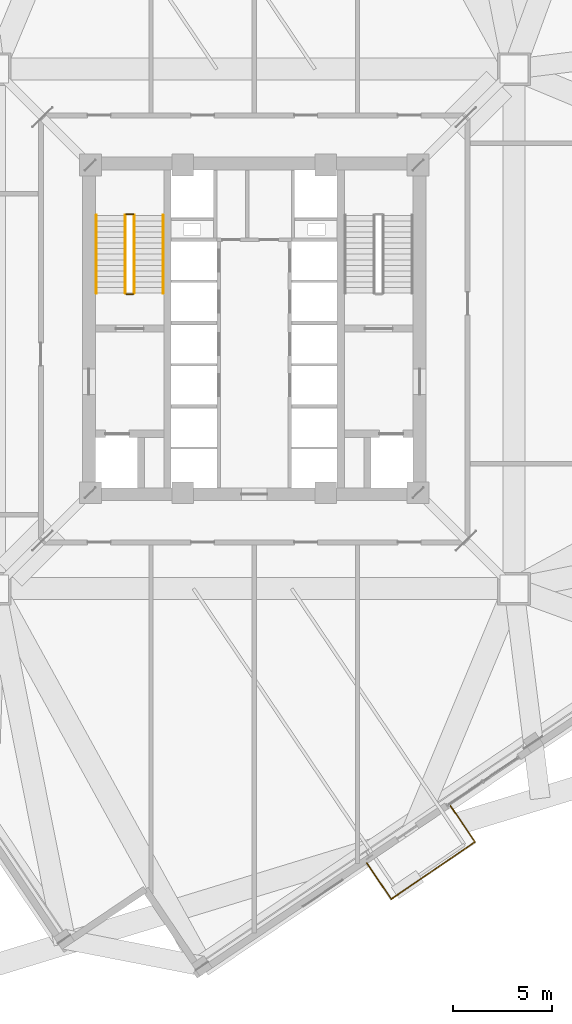
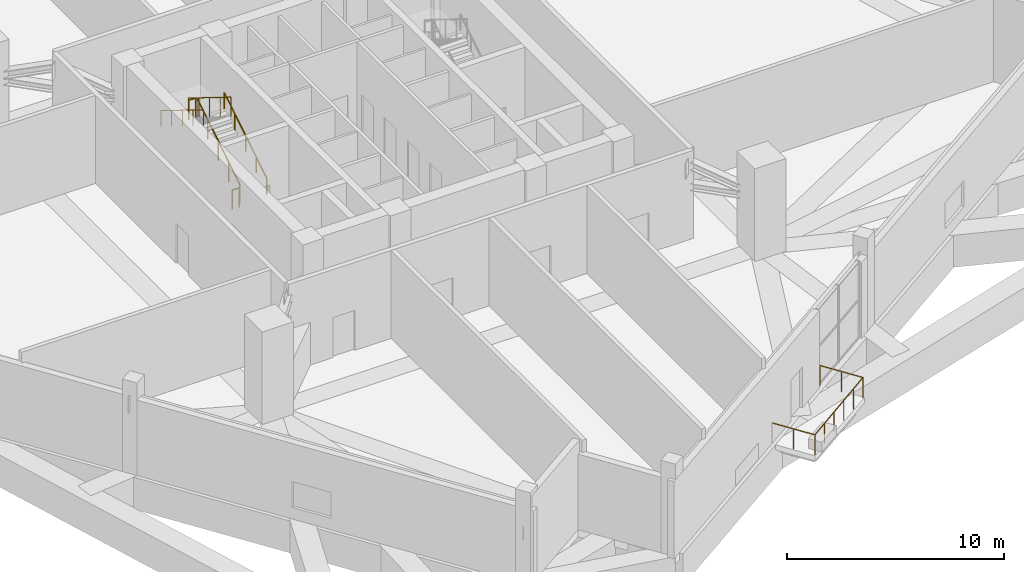
# One storey, part 19 of 21: 9 railings.
"""IFC4 building model written with IfcOpenShell, lengths in metres."""

from ifc_helpers import new_model, si_unit, direction, frame, origin, origin_2d, place, context, subcontext, project, spatial, circle, extrude, source, transform, mapped, material, type_object, element, save


model = new_model("IFC4")

# Units and contexts
model_context = context("Model", 3, precision=1e-05, world=origin(), true_north=direction((0.0, 1.0)))
body_context = subcontext(model_context, "Body", "Model", "MODEL_VIEW")
ifc_project = project(units=[si_unit("LENGTHUNIT", "METRE"), si_unit("AREAUNIT", "SQUARE_METRE"), si_unit("VOLUMEUNIT", "CUBIC_METRE"), si_unit("PLANEANGLEUNIT", "RADIAN"), si_unit("MASSUNIT", "GRAM", prefix="KILO"), si_unit("THERMODYNAMICTEMPERATUREUNIT", "KELVIN")], contexts=[model_context])

# Site, building, storey
site_placement = place(None, origin())
site = spatial("IfcSite", under=ifc_project, at=site_placement, CompositionType="ELEMENT")
building_placement = place(site_placement, origin())
building = spatial("IfcBuilding", under=site, at=building_placement, Name="Kosmvard Interchange Tower", CompositionType="ELEMENT")
storey_placement = place(building_placement, frame((0.0, 0.0, 139.199951171875)))
storey = spatial("IfcBuildingStorey", under=building, at=storey_placement, Name="L33", CompositionType="ELEMENT", Elevation=139.199951171875)

# Railings
ifc_material = material(Name="Steel S355", Category="steel")
railing_type_1 = type_object("IfcRailingType", Name="Observation & Balcony Glass-Infill Balustrade 1150", PredefinedType="BALUSTRADE", material=ifc_material)
shared_shape_1 = source(origin(), body_context, "Body", "SweptSolid", [
    extrude(circle(Radius=0.02392578125, at=origin_2d()), frame((0.0, 0.0, 1.1259765625), z_axis=(-0.559225044374, 0.829015892335, 0.0), x_axis=(-0.829015892335, -0.559225044374, 0.0)), (0.0, 0.0, 1.0), 2.199951171875),
    extrude(circle(Radius=0.02099609375, at=origin_2d()), origin(), (0.0, 0.0, 1.0), 1.101806640625),
    extrude(circle(Radius=0.02099609375, at=origin_2d()), frame((-0.615234375, 0.911865234375, 0.0)), (0.0, 0.0, 1.0), 1.101806640625),
    extrude(circle(Radius=0.02099609375, at=origin_2d()), frame((-1.230224609375, 1.82373046875, 0.0)), (0.0, 0.0, 1.0), 1.101806640625),
])
railing_1_placement = place(storey_placement, frame((11.11572265625, -25.839599609375, 0.0)))
element("IfcRailing", 1, at=railing_1_placement, inside=storey, type_object=railing_type_1, Name="L33 Outdoor Terrace Guard SKG-L33-S-C", PredefinedType="BALUSTRADE", context=body_context, shape_type="MappedRepresentation", body=[
    mapped(shared_shape_1, transform((0.0, 0.0, 0.0), scale=1.0)),
])
shared_shape_2 = source(origin(), body_context, "Body", "SweptSolid", [
    extrude(circle(Radius=0.02392578125, at=origin_2d()), frame((0.0, 0.0, 1.1259765625), z_axis=(0.559225044374, -0.829015892335, 0.0), x_axis=(0.829015892335, 0.559225044374, 0.0)), (0.0, 0.0, 1.0), 2.199951171875),
    extrude(circle(Radius=0.02099609375, at=origin_2d()), origin(), (0.0, 0.0, 1.0), 1.101806640625),
    extrude(circle(Radius=0.02099609375, at=origin_2d()), frame((0.615234375, -0.911865234375, 0.0)), (0.0, 0.0, 1.0), 1.101806640625),
    extrude(circle(Radius=0.02099609375, at=origin_2d()), frame((1.230224609375, -1.82373046875, 0.0)), (0.0, 0.0, 1.0), 1.101806640625),
])
railing_2_placement = place(storey_placement, frame((5.669921875, -26.893310546875, 0.0)))
element("IfcRailing", 2, at=railing_2_placement, inside=storey, type_object=railing_type_1, Name="L33 Outdoor Terrace Guard SKG-L33-S-A", PredefinedType="BALUSTRADE", context=body_context, shape_type="MappedRepresentation", body=[
    mapped(shared_shape_2, transform((0.0, 0.0, 0.0), scale=1.0)),
])
shared_shape_3 = source(origin(), body_context, "Body", "SweptSolid", [
    extrude(circle(Radius=0.02392578125, at=origin_2d()), frame((0.0, 0.0, 1.1259765625), z_axis=(0.825936792718, 0.563762728845, 0.0), x_axis=(-0.563762728845, 0.825936792718, 0.0)), (0.0, 0.0, 1.0), 5.10400390625),
    extrude(circle(Radius=0.02099609375, at=origin_2d()), origin(), (0.0, 0.0, 1.0), 1.101806640625),
    extrude(circle(Radius=0.02099609375, at=origin_2d()), frame((0.843017578125, 0.575439453125, 0.0)), (0.0, 0.0, 1.0), 1.101806640625),
    extrude(circle(Radius=0.02099609375, at=origin_2d()), frame((1.686279296875, 1.15087890625, 0.0)), (0.0, 0.0, 1.0), 1.101806640625),
    extrude(circle(Radius=0.02099609375, at=origin_2d()), frame((2.529296875, 1.7265625, 0.0)), (0.0, 0.0, 1.0), 1.101806640625),
    extrude(circle(Radius=0.02099609375, at=origin_2d()), frame((3.37255859375, 2.302001953125, 0.0)), (0.0, 0.0, 1.0), 1.101806640625),
    extrude(circle(Radius=0.02099609375, at=origin_2d()), frame((4.215576171875, 2.87744140625, 0.0)), (0.0, 0.0, 1.0), 1.101806640625),
])
railing_3_placement = place(storey_placement, frame((6.900146484375, -28.717041015625, 0.0)))
element("IfcRailing", 3, at=railing_3_placement, inside=storey, type_object=railing_type_1, Name="L33 Outdoor Terrace Guard SKG-L33-S-B", PredefinedType="BALUSTRADE", context=body_context, shape_type="MappedRepresentation", body=[
    mapped(shared_shape_3, transform((0.0, 0.0, 0.0), scale=1.0)),
])
railing_type_2 = type_object("IfcRailingType", Name="Stair & Terrace Safety Guardrail 1100 Steel", PredefinedType="GUARDRAIL", material=ifc_material)
shared_shape_4 = source(origin(), body_context, "Body", "SweptSolid", [
    extrude(circle(Radius=0.02392578125, at=origin_2d()), frame((0.0, 0.0, 1.076171875), z_axis=(-1.0, 0.0, 0.0), x_axis=(0.0, -1.0, 0.0)), (0.0, 0.0, 1.0), 0.35986328125),
    extrude(circle(Radius=0.02099609375, at=origin_2d()), origin(), (0.0, 0.0, 1.0), 1.052001953125),
    extrude(circle(Radius=0.02099609375, at=origin_2d()), frame((-0.35986328125, 0.0, 0.0)), (0.0, 0.0, 1.0), 1.052001953125),
])
for number, where, name in (
    (4, (-6.090087890625, 5.77001953125, 2.60009765625), "L33 ST-1 stair guard 2"),
    (5, (-6.090087890625, 1.75, 0.0), "L33 ST-1 stair guard 4"),
):
    element("IfcRailing", number, at=place(storey_placement, frame(where)), inside=storey, type_object=railing_type_2, Name=name, PredefinedType="GUARDRAIL", context=body_context, shape_type="MappedRepresentation", body=[
        mapped(shared_shape_4, transform((0.0, 0.0, 0.0), scale=1.0)),
    ])
shared_shape_5 = source(origin(), body_context, "Body", "SweptSolid", [
    extrude(circle(Radius=0.02392578125, at=origin_2d()), frame((0.0, 0.0, 1.076171875), z_axis=(0.0, 0.850251603719, 0.526376491091), x_axis=(-1.0, 0.0, 0.0)), (0.0, 0.0, 1.0), 4.6103515625),
    extrude(circle(Radius=0.02099609375, at=origin_2d()), origin(), (0.0, 0.0, 1.0), 1.052001953125),
    extrude(circle(Radius=0.02099609375, at=origin_2d()), frame((0.0, 0.97998046875, 0.606689453125)), (0.0, 0.0, 1.0), 1.052001953125),
    extrude(circle(Radius=0.02099609375, at=origin_2d()), frame((0.0, 1.9599609375, 1.21337890625)), (0.0, 0.0, 1.0), 1.052001953125),
    extrude(circle(Radius=0.02099609375, at=origin_2d()), frame((0.0, 2.93994140625, 1.820068359375)), (0.0, 0.0, 1.0), 1.052001953125),
    extrude(circle(Radius=0.02099609375, at=origin_2d()), frame((0.0, 3.919921875, 2.4267578125)), (0.0, 0.0, 1.0), 1.052001953125),
])
railing_4_placement = place(storey_placement, frame((-6.0400390625, 1.800048828125, 0.17333984375)))
element("IfcRailing", 6, at=railing_4_placement, inside=storey, type_object=railing_type_2, Name="L33 ST-1 stair guard 1", PredefinedType="GUARDRAIL", context=body_context, shape_type="MappedRepresentation", body=[
    mapped(shared_shape_5, transform((0.0, 0.0, 0.0), scale=1.0)),
])
shared_shape_6 = source(origin(), body_context, "Body", "SweptSolid", [
    extrude(circle(Radius=0.02392578125, at=origin_2d()), frame((0.0, 0.0, 1.076171875), z_axis=(0.0, -0.850275303828, 0.526338206574), x_axis=(1.0, 0.0, 0.0)), (0.0, 0.0, 1.0), 4.610107421875),
    extrude(circle(Radius=0.02099609375, at=origin_2d()), origin(), (0.0, 0.0, 1.0), 1.052001953125),
    extrude(circle(Radius=0.02099609375, at=origin_2d()), frame((0.0, -0.97998046875, 0.606689453125)), (0.0, 0.0, 1.0), 1.052001953125),
    extrude(circle(Radius=0.02099609375, at=origin_2d()), frame((0.0, -1.9599609375, 1.21337890625)), (0.0, 0.0, 1.0), 1.052001953125),
    extrude(circle(Radius=0.02099609375, at=origin_2d()), frame((0.0, -2.93994140625, 1.81982421875)), (0.0, 0.0, 1.0), 1.052001953125),
    extrude(circle(Radius=0.02099609375, at=origin_2d()), frame((0.0, -3.919921875, 2.426513671875)), (0.0, 0.0, 1.0), 1.052001953125),
])
railing_5_placement = place(storey_placement, frame((-6.5, 5.719970703125, 2.7734375)))
element("IfcRailing", 7, at=railing_5_placement, inside=storey, type_object=railing_type_2, Name="L33 ST-1 stair guard 3", PredefinedType="GUARDRAIL", context=body_context, shape_type="MappedRepresentation", body=[
    mapped(shared_shape_6, transform((0.0, 0.0, 0.0), scale=1.0)),
])
railing_type_3 = type_object("IfcRailingType", Name="Wall-Mounted Stair Handrail 900 Steel", PredefinedType="HANDRAIL", material=ifc_material)
shared_shape_7 = source(origin(), body_context, "Body", "SweptSolid", [
    extrude(circle(Radius=0.02392578125, at=origin_2d()), frame((0.0, 0.0, 0.8759765625), z_axis=(0.0, 0.850251603719, 0.526376491091), x_axis=(-1.0, 0.0, 0.0)), (0.0, 0.0, 1.0), 4.6103515625),
    extrude(circle(Radius=0.02099609375, at=origin_2d()), origin(), (0.0, 0.0, 1.0), 0.851806640625),
    extrude(circle(Radius=0.02099609375, at=origin_2d()), frame((0.0, 0.97998046875, 0.606689453125)), (0.0, 0.0, 1.0), 0.851806640625),
    extrude(circle(Radius=0.02099609375, at=origin_2d()), frame((0.0, 1.9599609375, 1.21337890625)), (0.0, 0.0, 1.0), 0.851806640625),
    extrude(circle(Radius=0.02099609375, at=origin_2d()), frame((0.0, 2.93994140625, 1.820068359375)), (0.0, 0.0, 1.0), 0.851806640625),
    extrude(circle(Radius=0.02099609375, at=origin_2d()), frame((0.0, 3.919921875, 2.4267578125)), (0.0, 0.0, 1.0), 0.851806640625),
])
railing_6_placement = place(storey_placement, frame((-4.590087890625, 1.800048828125, 0.17333984375)))
element("IfcRailing", 8, at=railing_6_placement, inside=storey, type_object=railing_type_3, Name="L33 ST-1 stair handrail 1", PredefinedType="HANDRAIL", context=body_context, shape_type="MappedRepresentation", body=[
    mapped(shared_shape_7, transform((0.0, 0.0, 0.0), scale=1.0)),
])
shared_shape_8 = source(origin(), body_context, "Body", "SweptSolid", [
    extrude(circle(Radius=0.02392578125, at=origin_2d()), frame((0.0, 0.0, 0.8759765625), z_axis=(0.0, -0.850275303828, 0.526338206574), x_axis=(1.0, 0.0, 0.0)), (0.0, 0.0, 1.0), 4.610107421875),
    extrude(circle(Radius=0.02099609375, at=origin_2d()), origin(), (0.0, 0.0, 1.0), 0.851806640625),
    extrude(circle(Radius=0.02099609375, at=origin_2d()), frame((0.0, -0.97998046875, 0.606689453125)), (0.0, 0.0, 1.0), 0.851806640625),
    extrude(circle(Radius=0.02099609375, at=origin_2d()), frame((0.0, -1.9599609375, 1.21337890625)), (0.0, 0.0, 1.0), 0.851806640625),
    extrude(circle(Radius=0.02099609375, at=origin_2d()), frame((0.0, -2.93994140625, 1.81982421875)), (0.0, 0.0, 1.0), 0.851806640625),
    extrude(circle(Radius=0.02099609375, at=origin_2d()), frame((0.0, -3.919921875, 2.426513671875)), (0.0, 0.0, 1.0), 0.851806640625),
])
railing_7_placement = place(storey_placement, frame((-7.949951171875, 5.719970703125, 2.7734375)))
element("IfcRailing", 9, at=railing_7_placement, inside=storey, type_object=railing_type_3, Name="L33 ST-1 stair handrail 2", PredefinedType="HANDRAIL", context=body_context, shape_type="MappedRepresentation", body=[
    mapped(shared_shape_8, transform((0.0, 0.0, 0.0), scale=1.0)),
])

save(model, "model.ifc")
